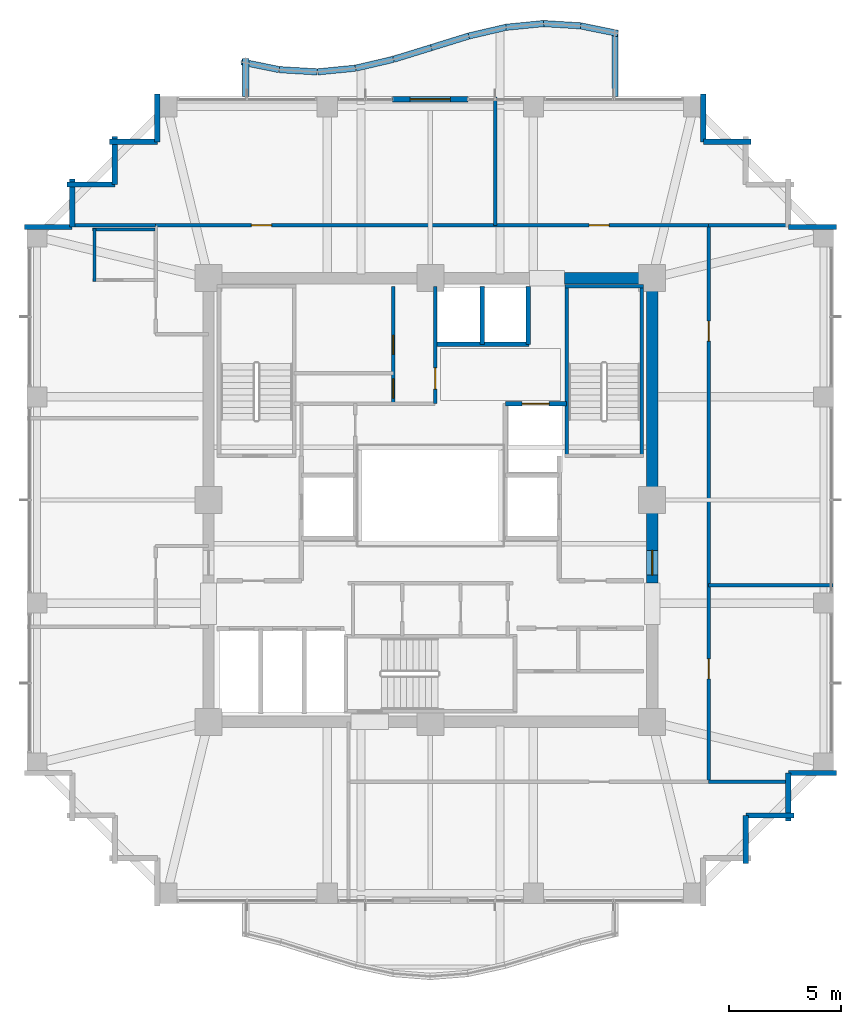
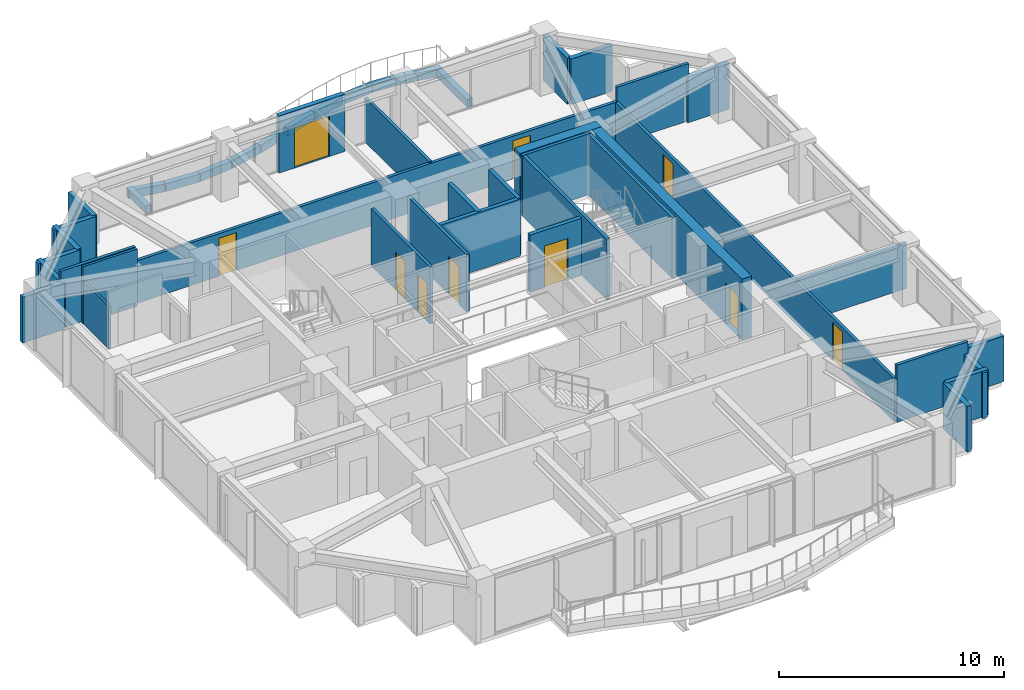
# One storey, part 28 of 31: 46 walls, 10 doors, 10 openings.
"""IFC4 building model written with IfcOpenShell, lengths in metres."""

from ifc_helpers import new_model, si_unit, direction, frame, frame_2d, origin, place, context, subcontext, project, spatial, rectangle, extrude, material, layer, layer_set, type_object, element, fill, save


model = new_model("IFC4")

# Units and contexts
model_context = context("Model", 3, precision=1e-05, world=origin(), true_north=direction((0.0, 1.0)))
body_context = subcontext(model_context, "Body", "Model", "MODEL_VIEW")
ifc_project = project(units=[si_unit("LENGTHUNIT", "METRE"), si_unit("AREAUNIT", "SQUARE_METRE"), si_unit("VOLUMEUNIT", "CUBIC_METRE"), si_unit("PLANEANGLEUNIT", "RADIAN"), si_unit("MASSUNIT", "GRAM", prefix="KILO")], contexts=[model_context])

# Site, building, storey
site_placement = place(None, origin())
site = spatial("IfcSite", under=ifc_project, at=site_placement, CompositionType="ELEMENT")
building_placement = place(site_placement, origin())
building = spatial("IfcBuilding", under=site, at=building_placement, Name="Kolvaren Belvedere", CompositionType="ELEMENT")
storey_placement = place(building_placement, frame((0.0, 0.0, 131.60009765625)))
storey = spatial("IfcBuildingStorey", under=building, at=storey_placement, Name="L38", CompositionType="ELEMENT", Elevation=131.60009765625)

# Wall
ifc_material_1 = material(Name="Concrete C50/60", Category="concrete")
ifc_layer_1 = layer(ifc_material_1, 0.5)
ifc_layer_set_1 = layer_set([ifc_layer_1], Name="Concrete C50/60")
wall_type_1 = type_object("IfcWallType", Name="CW-CORE-500", PredefinedType="SHEAR", material=ifc_layer_set_1)
wall_1_placement = place(storey_placement, frame((5.97998046875, 9.89990234375, 0.0), z_axis=(0.0, 0.0, 1.0), x_axis=(1.0, 0.0, 0.0)))
element("IfcWall", 1, at=wall_1_placement, inside=storey, type_object=wall_type_1, Name="L38 North Core Shear Wall 2", PredefinedType="SHEAR", context=body_context, shape_type="SweptSolid", body=[
    extrude(rectangle(XDim=4.169921875, YDim=0.5, at=frame_2d((2.0849609375, 0.0))), origin(), (0.0, 0.0, 1.0), 3.2998046875),
])

# Wall, opening, door
wall_2_placement = place(storey_placement, frame((9.89990234375, -3.699951171875, 0.0), z_axis=(0.0, 0.0, 1.0), x_axis=(0.0, 1.0, 0.0)))
wall_2 = element("IfcWall", 2, at=wall_2_placement, inside=storey, type_object=wall_type_1, Name="L38 East Core Shear Wall 2", PredefinedType="SHEAR", context=body_context, shape_type="SweptSolid", body=[
    extrude(rectangle(XDim=13.349853515625, YDim=0.5, at=frame_2d((6.6748046875, 0.0))), origin(), (0.0, 0.0, 1.0), 3.2998046875),
])
opening_1_placement = place(wall_2_placement, frame((0.35009765625, 0.0, 0.0)))
opening_1 = element("IfcOpeningElement", 3, at=opening_1_placement, cuts=wall_2, Name="Opening D-FD90", PredefinedType="OPENING", context=body_context, shape_type="SweptSolid", body=[
    extrude(rectangle(XDim=1.10009765625, YDim=2.199951171875, at=frame_2d((0.550048828125, 1.10009765625))), frame((0.0, 0.260009765625, 0.0), z_axis=(0.0, -1.0, 0.0), x_axis=(1.0, 0.0, 0.0)), (0.0, 0.0, 1.0), 0.52001953125),
])
ifc_material_2 = material(Name="Painted hollow stainless steel", Category="steel")
door_type_1 = type_object("IfcDoorType", Name="DR-FD90-1100", OperationType="NOTDEFINED", PredefinedType="DOOR", material=ifc_material_2)
door_1_placement = place(opening_1_placement, origin())
door_1 = element("IfcDoor", 4, at=door_1_placement, inside=storey, type_object=door_type_1, Name="L38 East Firefighting Lobby Fire Door", OperationType="SINGLE_SWING_RIGHT", OverallHeight=2.199951171875, OverallWidth=1.10009765625, PredefinedType="DOOR", context=body_context, shape_type="SweptSolid", body=[
    extrude(rectangle(XDim=1.10009765625, YDim=2.199951171875, at=frame_2d((0.550048828125, 1.10009765625))), frame((0.0, 0.02490234375, 0.0), z_axis=(0.0, -1.0, 0.0), x_axis=(1.0, 0.0, 0.0)), (0.0, 0.0, 1.0), 0.050048828125),
])
fill(opening_1, door_1)

# Walls
ifc_material_3 = material(Name="Concrete C50/60", Category="concrete")
ifc_layer_2 = layer(ifc_material_3, 0.159912109375)
ifc_layer_set_2 = layer_set([ifc_layer_2], Name="Concrete C50/60")
wall_type_2 = type_object("IfcWallType", Name="CW-STAIR-160", PredefinedType="SHEAR", material=ifc_layer_set_2)
wall_3_placement = place(storey_placement, frame((6.0, 9.530029296875, 0.0), z_axis=(0.0, 0.0, 1.0), x_axis=(1.0, 0.0, 0.0)))
element("IfcWall", 5, at=wall_3_placement, inside=storey, type_object=wall_type_2, Name="L38 Stair ST-2 North Shear Wall", PredefinedType="SHEAR", context=body_context, shape_type="SweptSolid", body=[
    extrude(rectangle(XDim=3.52001953125, YDim=0.159912109375, at=frame_2d((1.760009765625, 0.0))), origin(), (0.0, 0.0, 1.0), 3.2998046875),
])
for number, where, z_axis, x_axis, name in (
    (6, (6.080078125, 1.969970703125, 0.0), (0.0, 0.0, 1.0), (0.0, 1.0, 0.0), "L38 Stair ST-2 West Shear Wall"),
    (7, (9.429931640625, 1.969970703125, 0.0), (0.0, 0.0, 1.0), (0.0, 1.0, 0.0), "L38 Stair ST-2 East Shear Wall"),
):
    element("IfcWall", number, at=place(storey_placement, frame(where, z_axis=z_axis, x_axis=x_axis)), inside=storey, type_object=wall_type_2, Name=name, PredefinedType="SHEAR", context=body_context, shape_type="SweptSolid", body=[
        extrude(rectangle(XDim=7.56005859375, YDim=0.159912109375, at=frame_2d((3.780029296875, 0.0))), origin(), (0.0, 0.0, 1.0), 3.2998046875),
    ])

# Wall, openings, doors
ifc_material_4 = material(Name="Gypsum fire-rated partition assembly", Category="gypsum")
ifc_layer_3 = layer(ifc_material_4, 0.14990234375)
ifc_layer_set_3 = layer_set([ifc_layer_3], Name="Gypsum fire-rated partition assembly")
wall_type_3 = type_object("IfcWallType", Name="WL-CORR-150", PredefinedType="PARTITIONING", material=ifc_layer_set_3)
wall_4_placement = place(storey_placement, frame((-12.260009765625, 12.260009765625, 0.0), z_axis=(0.0, 0.0, 1.0), x_axis=(1.0, 0.0, 0.0)))
wall_4 = element("IfcWall", 8, at=wall_4_placement, inside=storey, type_object=wall_type_3, Name="L38 North Corridor Wall", PredefinedType="PARTITIONING", context=body_context, shape_type="SweptSolid", body=[
    extrude(rectangle(XDim=24.679931640625, YDim=0.14990234375, at=frame_2d((12.33984375, 0.0))), origin(), (0.0, 0.0, 1.0), 2.31201171875),
])
opening_2_placement = place(wall_4_placement, frame((4.27490234375, 0.0, 0.0)))
opening_2 = element("IfcOpeningElement", 9, at=opening_2_placement, cuts=wall_4, Name="Opening D-INT90", PredefinedType="OPENING", context=body_context, shape_type="SweptSolid", body=[
    extrude(rectangle(XDim=0.89990234375, YDim=2.06005859375, at=frame_2d((0.449951171875, 1.030029296875))), frame((0.0, 0.0849609375, 0.0), z_axis=(0.0, -1.0, 0.0), x_axis=(1.0, 0.0, 0.0)), (0.0, 0.0, 1.0), 0.169921875),
])
opening_3_placement = place(wall_4_placement, frame((19.344970703125, 0.0, 0.0)))
opening_3 = element("IfcOpeningElement", 10, at=opening_3_placement, cuts=wall_4, Name="Opening D-INT90", PredefinedType="OPENING", context=body_context, shape_type="SweptSolid", body=[
    extrude(rectangle(XDim=0.89990234375, YDim=2.06005859375, at=frame_2d((0.449951171875, 1.030029296875))), frame((0.0, 0.0849609375, 0.0), z_axis=(0.0, -1.0, 0.0), x_axis=(1.0, 0.0, 0.0)), (0.0, 0.0, 1.0), 0.169921875),
])
ifc_material_5 = material(Name="Stained Pacific white oak", Category="timber")
door_type_2 = type_object("IfcDoorType", Name="DR-INT-900", OperationType="NOTDEFINED", PredefinedType="DOOR", material=ifc_material_5)
door_2_placement = place(opening_2_placement, origin())
door_2 = element("IfcDoor", 11, at=door_2_placement, inside=storey, type_object=door_type_2, Name="L38 Lounge 3801 Door", OperationType="SINGLE_SWING_LEFT", OverallHeight=2.06005859375, OverallWidth=0.89990234375, PredefinedType="DOOR", context=body_context, shape_type="SweptSolid", body=[
    extrude(rectangle(XDim=0.89990234375, YDim=2.06005859375, at=frame_2d((0.449951171875, 1.030029296875))), frame((0.0, 0.02490234375, 0.0), z_axis=(0.0, -1.0, 0.0), x_axis=(1.0, 0.0, 0.0)), (0.0, 0.0, 1.0), 0.050048828125),
])
fill(opening_2, door_2)
door_3_placement = place(opening_3_placement, origin())
door_3 = element("IfcDoor", 12, at=door_3_placement, inside=storey, type_object=door_type_2, Name="L38 Guest Tea & Espresso Kitchen 3802 Door", OperationType="SINGLE_SWING_RIGHT", OverallHeight=2.06005859375, OverallWidth=0.89990234375, PredefinedType="DOOR", context=body_context, shape_type="SweptSolid", body=[
    extrude(rectangle(XDim=0.89990234375, YDim=2.06005859375, at=frame_2d((0.449951171875, 1.030029296875))), frame((0.0, 0.02490234375, 0.0), z_axis=(0.0, -1.0, 0.0), x_axis=(1.0, 0.0, 0.0)), (0.0, 0.0, 1.0), 0.050048828125),
])
fill(opening_3, door_3)

wall_5_placement = place(storey_placement, frame((12.419921875, -12.580078125, 0.0), z_axis=(0.0, 0.0, 1.0), x_axis=(0.0, 1.0, 0.0)))
wall_5 = element("IfcWall", 13, at=wall_5_placement, inside=storey, type_object=wall_type_3, Name="L38 East Corridor Wall", PredefinedType="PARTITIONING", context=body_context, shape_type="SweptSolid", body=[
    extrude(rectangle(XDim=24.840087890625, YDim=0.14990234375, at=frame_2d((12.419921875, 0.0))), origin(), (0.0, 0.0, 1.0), 2.31201171875),
])
opening_4_placement = place(wall_5_placement, frame((4.594970703125, 0.0, 0.0)))
opening_4 = element("IfcOpeningElement", 14, at=opening_4_placement, cuts=wall_5, Name="Opening D-INT90", PredefinedType="OPENING", context=body_context, shape_type="SweptSolid", body=[
    extrude(rectangle(XDim=0.89990234375, YDim=2.06005859375, at=frame_2d((0.449951171875, 1.030029296875))), frame((0.0, 0.0849609375, 0.0), z_axis=(0.0, -1.0, 0.0), x_axis=(1.0, 0.0, 0.0)), (0.0, 0.0, 1.0), 0.169921875),
])
opening_5_placement = place(wall_5_placement, frame((19.6650390625, 0.0, 0.0)))
opening_5 = element("IfcOpeningElement", 15, at=opening_5_placement, cuts=wall_5, Name="Opening D-INT90", PredefinedType="OPENING", context=body_context, shape_type="SweptSolid", body=[
    extrude(rectangle(XDim=0.89990234375, YDim=2.06005859375, at=frame_2d((0.449951171875, 1.030029296875))), frame((0.0, 0.0849609375, 0.0), z_axis=(0.0, -1.0, 0.0), x_axis=(1.0, 0.0, 0.0)), (0.0, 0.0, 1.0), 0.169921875),
])
door_4_placement = place(opening_4_placement, origin())
door_4 = element("IfcDoor", 16, at=door_4_placement, inside=storey, type_object=door_type_2, Name="L38 Private Hospitality Meeting Room 3803 Door", OperationType="SINGLE_SWING_LEFT", OverallHeight=2.06005859375, OverallWidth=0.89990234375, PredefinedType="DOOR", context=body_context, shape_type="SweptSolid", body=[
    extrude(rectangle(XDim=0.89990234375, YDim=2.06005859375, at=frame_2d((0.449951171875, 1.030029296875))), frame((0.0, 0.02490234375, 0.0), z_axis=(0.0, -1.0, 0.0), x_axis=(1.0, 0.0, 0.0)), (0.0, 0.0, 1.0), 0.050048828125),
])
fill(opening_4, door_4)
door_5_placement = place(opening_5_placement, origin())
door_5 = element("IfcDoor", 17, at=door_5_placement, inside=storey, type_object=door_type_2, Name="L38 Botanical Reading Salon 3804 Door", OperationType="SINGLE_SWING_RIGHT", OverallHeight=2.06005859375, OverallWidth=0.89990234375, PredefinedType="DOOR", context=body_context, shape_type="SweptSolid", body=[
    extrude(rectangle(XDim=0.89990234375, YDim=2.06005859375, at=frame_2d((0.449951171875, 1.030029296875))), frame((0.0, 0.02490234375, 0.0), z_axis=(0.0, -1.0, 0.0), x_axis=(1.0, 0.0, 0.0)), (0.0, 0.0, 1.0), 0.050048828125),
])
fill(opening_5, door_5)

# Walls
ifc_material_6 = material(Name="Insulated pale-metal facade wall assembly", Category="aluminium")
ifc_layer_4 = layer(ifc_material_6, 0.239990234375)
ifc_layer_set_4 = layer_set([ifc_layer_4], Name="Insulated pale-metal facade wall assembly")
wall_type_4 = type_object("IfcWallType", Name="WL-EXT-240", PredefinedType="STANDARD", material=ifc_layer_set_4)
for number, where, z_axis, x_axis, name in (
    (18, (14.080078125, -14.080078125, 0.0), (0.0, 0.0, 1.0), (0.0, -1.0, 0.0), "L38 Serrated Corner Facade Wall 4"),
    (19, (16.219970703125, -14.080078125, 0.0), (0.0, 0.0, 1.0), (-1.0, 0.0, 0.0), "L38 Serrated Corner Facade Wall 5"),
):
    element("IfcWall", number, at=place(storey_placement, frame(where, z_axis=z_axis, x_axis=x_axis)), inside=storey, type_object=wall_type_4, Name=name, PredefinedType="STANDARD", context=body_context, shape_type="SweptSolid", body=[
        extrude(rectangle(XDim=2.139892578125, YDim=0.239990234375, at=frame_2d((1.06982421875, 0.0))), origin(), (0.0, 0.0, 1.0), 2.47900390625),
    ])
for number, where, z_axis, x_axis, name in (
    (20, (15.97998046875, -12.179931640625, 0.0), (0.0, 0.0, 1.0), (0.0, -1.0, 0.0), "L38 Serrated Corner Facade Wall 6"),
    (21, (18.1201171875, -12.179931640625, 0.0), (0.0, 0.0, 1.0), (-1.0, 0.0, 0.0), "L38 Serrated Corner Facade Wall 7"),
    (22, (15.97998046875, 12.179931640625, 0.0), (0.0, 0.0, 1.0), (1.0, 0.0, 0.0), "L38 Serrated Corner Facade Wall 9"),
    (23, (12.179931640625, 15.97998046875, 0.0), (0.0, 0.0, 1.0), (1.0, 0.0, 0.0), "L38 Serrated Corner Facade Wall 13"),
    (24, (12.179931640625, 18.1201171875, 0.0), (0.0, 0.0, 1.0), (0.0, -1.0, 0.0), "L38 Serrated Corner Facade Wall 14"),
):
    element("IfcWall", number, at=place(storey_placement, frame(where, z_axis=z_axis, x_axis=x_axis)), inside=storey, type_object=wall_type_4, Name=name, PredefinedType="STANDARD", context=body_context, shape_type="SweptSolid", body=[
        extrude(rectangle(XDim=2.14013671875, YDim=0.239990234375, at=frame_2d((1.070068359375, 0.0))), origin(), (0.0, 0.0, 1.0), 2.47900390625),
    ])

# Wall, opening, door
wall_6_placement = place(storey_placement, frame((-1.679931640625, 17.8798828125, 0.0), z_axis=(0.0, 0.0, 1.0), x_axis=(1.0, 0.0, 0.0)))
wall_6 = element("IfcWall", 25, at=wall_6_placement, inside=storey, type_object=wall_type_4, Name="L38 North Terrace Portal Wall", PredefinedType="STANDARD", context=body_context, shape_type="SweptSolid", body=[
    extrude(rectangle(XDim=3.35986328125, YDim=0.239990234375, at=frame_2d((1.679931640625, 0.0))), origin(), (0.0, 0.0, 1.0), 3.099853515625),
])
opening_6_placement = place(wall_6_placement, frame((0.780029296875, 0.0, 0.0)))
opening_6 = element("IfcOpeningElement", 26, at=opening_6_placement, cuts=wall_6, Name="Opening DB-1800", PredefinedType="OPENING", context=body_context, shape_type="SweptSolid", body=[
    extrude(rectangle(XDim=1.800048828125, YDim=2.199951171875, at=frame_2d((0.89990234375, 1.10009765625))), frame((0.0, 0.1298828125, 0.0), z_axis=(0.0, -1.0, 0.0), x_axis=(1.0, 0.0, 0.0)), (0.0, 0.0, 1.0), 0.260009765625),
])
ifc_material_7 = material(Name="Thermally broken pale-metal aluminium & low-iron glass", Category="aluminium")
door_type_3 = type_object("IfcDoorType", Name="DR-BAL-1800", OperationType="DOUBLE_DOOR_SLIDING", PredefinedType="DOOR", material=ifc_material_7)
door_6_placement = place(opening_6_placement, origin())
door_6 = element("IfcDoor", 27, at=door_6_placement, inside=storey, type_object=door_type_3, Name="L38 North Planted Terrace Sliding Door", OperationType="DOUBLE_DOOR_SLIDING", OverallHeight=2.199951171875, OverallWidth=1.800048828125, PredefinedType="DOOR", context=body_context, shape_type="SweptSolid", body=[
    extrude(rectangle(XDim=1.800048828125, YDim=2.199951171875, at=frame_2d((0.89990234375, 1.10009765625))), frame((0.0, 0.02490234375, 0.0), z_axis=(0.0, -1.0, 0.0), x_axis=(1.0, 0.0, 0.0)), (0.0, 0.0, 1.0), 0.050048828125),
])
fill(opening_6, door_6)

# Walls
for number, where, z_axis, x_axis, name in (
    (28, (-12.179931640625, 15.97998046875, 0.0), (0.0, 0.0, 1.0), (0.0, 1.0, 0.0), "L38 Serrated Corner Facade Wall 16"),
    (29, (-14.320068359375, 15.97998046875, 0.0), (0.0, 0.0, 1.0), (1.0, 0.0, 0.0), "L38 Serrated Corner Facade Wall 17"),
):
    element("IfcWall", number, at=place(storey_placement, frame(where, z_axis=z_axis, x_axis=x_axis)), inside=storey, type_object=wall_type_4, Name=name, PredefinedType="STANDARD", context=body_context, shape_type="SweptSolid", body=[
        extrude(rectangle(XDim=2.14013671875, YDim=0.239990234375, at=frame_2d((1.070068359375, 0.0))), origin(), (0.0, 0.0, 1.0), 2.47900390625),
    ])
for number, where, z_axis, x_axis, name in (
    (30, (-14.080078125, 14.080078125, 0.0), (0.0, 0.0, 1.0), (0.0, 1.0, 0.0), "L38 Serrated Corner Facade Wall 18"),
    (31, (-16.219970703125, 14.080078125, 0.0), (0.0, 0.0, 1.0), (1.0, 0.0, 0.0), "L38 Serrated Corner Facade Wall 19"),
):
    element("IfcWall", number, at=place(storey_placement, frame(where, z_axis=z_axis, x_axis=x_axis)), inside=storey, type_object=wall_type_4, Name=name, PredefinedType="STANDARD", context=body_context, shape_type="SweptSolid", body=[
        extrude(rectangle(XDim=2.139892578125, YDim=0.239990234375, at=frame_2d((1.06982421875, 0.0))), origin(), (0.0, 0.0, 1.0), 2.47900390625),
    ])
for number, where, z_axis, x_axis, name in (
    (32, (-15.97998046875, 12.179931640625, 0.0), (0.0, 0.0, 1.0), (0.0, 1.0, 0.0), "L38 Serrated Corner Facade Wall 20"),
    (33, (-18.1201171875, 12.179931640625, 0.0), (0.0, 0.0, 1.0), (1.0, 0.0, 0.0), "L38 Serrated Corner Facade Wall 21"),
):
    element("IfcWall", number, at=place(storey_placement, frame(where, z_axis=z_axis, x_axis=x_axis)), inside=storey, type_object=wall_type_4, Name=name, PredefinedType="STANDARD", context=body_context, shape_type="SweptSolid", body=[
        extrude(rectangle(XDim=2.14013671875, YDim=0.239990234375, at=frame_2d((1.070068359375, 0.0))), origin(), (0.0, 0.0, 1.0), 2.47900390625),
    ])

# Wall, opening, door
ifc_material_8 = material(Name="Gypsum acoustic partition assembly", Category="gypsum")
ifc_layer_5 = layer(ifc_material_8, 0.14990234375)
ifc_layer_set_5 = layer_set([ifc_layer_5], Name="Gypsum acoustic partition assembly")
wall_type_5 = type_object("IfcWallType", Name="WL-PART-150", PredefinedType="PARTITIONING", material=ifc_layer_set_5)
wall_7_placement = place(storey_placement, frame((0.219970703125, 4.300048828125, 0.0), z_axis=(0.0, 0.0, 1.0), x_axis=(0.0, 1.0, 0.0)))
wall_7 = element("IfcWall", 34, at=wall_7_placement, inside=storey, type_object=wall_type_5, Name="L38 Reclaimed Salon East Wall", PredefinedType="PARTITIONING", context=body_context, shape_type="SweptSolid", body=[
    extrude(rectangle(XDim=5.219970703125, YDim=0.14990234375, at=frame_2d((2.60986328125, 0.0))), origin(), (0.0, 0.0, 1.0), 3.099853515625),
])
opening_7_placement = place(wall_7_placement, frame((0.64990234375, 0.0, 0.0)))
opening_7 = element("IfcOpeningElement", 35, at=opening_7_placement, cuts=wall_7, Name="Opening D-INT95", PredefinedType="OPENING", context=body_context, shape_type="SweptSolid", body=[
    extrude(rectangle(XDim=0.949951171875, YDim=2.06005859375, at=frame_2d((0.47509765625, 1.030029296875))), frame((0.0, 0.0849609375, 0.0), z_axis=(0.0, -1.0, 0.0), x_axis=(1.0, 0.0, 0.0)), (0.0, 0.0, 1.0), 0.169921875),
])
ifc_material_9 = material(Name="Stained Pacific white oak", Category="timber")
door_type_4 = type_object("IfcDoorType", Name="DR-INT-950", OperationType="NOTDEFINED", PredefinedType="DOOR", material=ifc_material_9)
door_7_placement = place(opening_7_placement, origin())
door_7 = element("IfcDoor", 36, at=door_7_placement, inside=storey, type_object=door_type_4, Name="L38 Wellness Tearoom Door", OperationType="SINGLE_SWING_LEFT", OverallHeight=2.06005859375, OverallWidth=0.949951171875, PredefinedType="DOOR", context=body_context, shape_type="SweptSolid", body=[
    extrude(rectangle(XDim=0.949951171875, YDim=2.06005859375, at=frame_2d((0.47509765625, 1.030029296875))), frame((0.0, 0.02490234375, 0.0), z_axis=(0.0, -1.0, 0.0), x_axis=(1.0, 0.0, 0.0)), (0.0, 0.0, 1.0), 0.050048828125),
])
fill(opening_7, door_7)

# Wall, openings, doors
wall_8_placement = place(storey_placement, frame((-1.64990234375, 4.300048828125, 0.0), z_axis=(0.0, 0.0, 1.0), x_axis=(0.0, 1.0, 0.0)))
wall_8 = element("IfcWall", 37, at=wall_8_placement, inside=storey, type_object=wall_type_5, Name="L38 Reclaimed Tearoom V-Divider", PredefinedType="PARTITIONING", context=body_context, shape_type="SweptSolid", body=[
    extrude(rectangle(XDim=5.219970703125, YDim=0.14990234375, at=frame_2d((2.60986328125, 0.0))), origin(), (0.0, 0.0, 1.0), 3.099853515625),
])
opening_8_placement = place(wall_8_placement, frame((2.199951171875, 0.0, 0.0)))
opening_8 = element("IfcOpeningElement", 38, at=opening_8_placement, cuts=wall_8, Name="Opening D-INT85", PredefinedType="OPENING", context=body_context, shape_type="SweptSolid", body=[
    extrude(rectangle(XDim=0.85009765625, YDim=2.030029296875, at=frame_2d((0.425048828125, 1.01513671875))), frame((0.0, 0.0849609375, 0.0), z_axis=(0.0, -1.0, 0.0), x_axis=(1.0, 0.0, 0.0)), (0.0, 0.0, 1.0), 0.169921875),
])
opening_9_placement = place(wall_8_placement, frame((0.25, 0.0, 0.0)))
opening_9 = element("IfcOpeningElement", 39, at=opening_9_placement, cuts=wall_8, Name="Opening D-INT85", PredefinedType="OPENING", context=body_context, shape_type="SweptSolid", body=[
    extrude(rectangle(XDim=0.85009765625, YDim=2.030029296875, at=frame_2d((0.425048828125, 1.01513671875))), frame((0.0, 0.0849609375, 0.0), z_axis=(0.0, -1.0, 0.0), x_axis=(1.0, 0.0, 0.0)), (0.0, 0.0, 1.0), 0.169921875),
])
ifc_material_10 = material(Name="Stained Pacific white oak", Category="timber")
door_type_5 = type_object("IfcDoorType", Name="DR-INT-850", OperationType="NOTDEFINED", PredefinedType="DOOR", material=ifc_material_10)
door_8_placement = place(opening_8_placement, origin())
door_8 = element("IfcDoor", 40, at=door_8_placement, inside=storey, type_object=door_type_5, Name="L38 Meditation Room Door", OperationType="SINGLE_SWING_RIGHT", OverallHeight=2.030029296875, OverallWidth=0.85009765625, PredefinedType="DOOR", context=body_context, shape_type="SweptSolid", body=[
    extrude(rectangle(XDim=0.85009765625, YDim=2.030029296875, at=frame_2d((0.425048828125, 1.01513671875))), frame((0.0, 0.02490234375, 0.0), z_axis=(0.0, -1.0, 0.0), x_axis=(1.0, 0.0, 0.0)), (0.0, 0.0, 1.0), 0.050048828125),
])
fill(opening_8, door_8)
door_9_placement = place(opening_9_placement, origin())
door_9 = element("IfcDoor", 41, at=door_9_placement, inside=storey, type_object=door_type_5, Name="L38 Herbal Closet Door", OperationType="SINGLE_SWING_RIGHT", OverallHeight=2.030029296875, OverallWidth=0.85009765625, PredefinedType="DOOR", context=body_context, shape_type="SweptSolid", body=[
    extrude(rectangle(XDim=0.85009765625, YDim=2.030029296875, at=frame_2d((0.425048828125, 1.01513671875))), frame((0.0, 0.02490234375, 0.0), z_axis=(0.0, -1.0, 0.0), x_axis=(1.0, 0.0, 0.0)), (0.0, 0.0, 1.0), 0.050048828125),
])
fill(opening_9, door_9)

# Walls
wall_9_placement = place(storey_placement, frame((12.419921875, -12.580078125, 0.0), z_axis=(0.0, 0.0, 1.0), x_axis=(1.0, 0.0, 0.0)))
element("IfcWall", 42, at=wall_9_placement, inside=storey, type_object=wall_type_5, Name="L38 Wing Divider PW-L38-QSE", PredefinedType="PARTITIONING", context=body_context, shape_type="SweptSolid", body=[
    extrude(rectangle(XDim=3.66015625, YDim=0.14990234375, at=frame_2d((1.830078125, 0.0))), origin(), (0.0, 0.0, 1.0), 3.099853515625),
])
wall_10_placement = place(storey_placement, frame((-16.09619140625, 12.260009765625, 0.0), z_axis=(0.0, 0.0, 1.0), x_axis=(1.0, 0.0, 0.0)))
element("IfcWall", 43, at=wall_10_placement, inside=storey, type_object=wall_type_5, Name="L38 Wing Divider PW-L38-QNW", PredefinedType="PARTITIONING", context=body_context, shape_type="SweptSolid", body=[
    extrude(rectangle(XDim=3.836181640625, YDim=0.14990234375, at=frame_2d((1.91796875, 0.0))), origin(), (0.0, 0.0, 1.0), 3.099853515625),
])
wall_11_placement = place(storey_placement, frame((12.419921875, 12.260009765625, 0.0), z_axis=(0.0, 0.0, 1.0), x_axis=(1.0, 0.0, 0.0)))
element("IfcWall", 44, at=wall_11_placement, inside=storey, type_object=wall_type_5, Name="L38 Wing Divider PW-L38-QNE", PredefinedType="PARTITIONING", context=body_context, shape_type="SweptSolid", body=[
    extrude(rectangle(XDim=3.67626953125, YDim=0.14990234375, at=frame_2d((1.838134765625, 0.0))), origin(), (0.0, 0.0, 1.0), 3.099853515625),
])
wall_12_placement = place(storey_placement, frame((2.89990234375, 12.260009765625, 0.0), z_axis=(0.0, 0.0, 1.0), x_axis=(0.0, 1.0, 0.0)))
element("IfcWall", 45, at=wall_12_placement, inside=storey, type_object=wall_type_5, Name="L38 North Suite Demising Wall 1", PredefinedType="PARTITIONING", context=body_context, shape_type="SweptSolid", body=[
    extrude(rectangle(XDim=5.719970703125, YDim=0.14990234375, at=frame_2d((2.85986328125, 0.0))), origin(), (0.0, 0.0, 1.0), 2.388916015625),
])
wall_13_placement = place(storey_placement, frame((12.419921875, -3.800048828125, 0.0), z_axis=(0.0, 0.0, 1.0), x_axis=(1.0, 0.0, 0.0)))
element("IfcWall", 46, at=wall_13_placement, inside=storey, type_object=wall_type_5, Name="L38 East Suite Demising Wall 1", PredefinedType="PARTITIONING", context=body_context, shape_type="SweptSolid", body=[
    extrude(rectangle(XDim=5.56005859375, YDim=0.14990234375, at=frame_2d((2.780029296875, 0.0))), origin(), (0.0, 0.0, 1.0), 2.468994140625),
])
ifc_material_11 = material(Name="Precast concrete C40/50", Category="concrete")
ifc_layer_6 = layer(ifc_material_11, 0.300048828125)
ifc_layer_set_6 = layer_set([ifc_layer_6], Name="Precast concrete C40/50")
wall_type_6 = type_object("IfcWallType", Name="WL-PLANTER-300", PredefinedType="PARAPET", material=ifc_layer_set_6)
wall_14_placement = place(storey_placement, frame((8.239990234375, 18.0, -0.02001953125), z_axis=(0.0, 0.0, 1.0), x_axis=(0.0, 1.0, 0.0)))
element("IfcWall", 47, at=wall_14_placement, inside=storey, type_object=wall_type_6, Name="L38 Precast Structural Planter Wall BAL-N-11", PredefinedType="PARAPET", context=body_context, shape_type="SweptSolid", body=[
    extrude(rectangle(XDim=2.974853515625, YDim=0.280029296875, at=frame_2d((1.4873046875, 0.0))), origin(), (0.0, 0.0, 1.0), 0.419921875),
])
wall_15_placement = place(storey_placement, frame((8.367919921875, 20.818115234375, -0.02001953125), z_axis=(0.0, 0.0, 1.0), x_axis=(-0.979867779516, 0.199647526069, 0.0)))
element("IfcWall", 48, at=wall_15_placement, inside=storey, type_object=wall_type_6, Name="L38 Precast Structural Planter Wall BAL-N-12", PredefinedType="PARAPET", context=body_context, shape_type="SweptSolid", body=[
    extrude(rectangle(XDim=1.71435546875, YDim=0.280029296875, at=frame_2d((0.857177734375, 0.0))), origin(), (0.0, 0.0, 1.0), 0.419921875),
])
wall_16_placement = place(storey_placement, frame((6.710205078125, 21.157470703125, -0.02001953125), z_axis=(0.0, 0.0, 1.0), x_axis=(-0.998133560666, 0.061068773295, 0.0)))
element("IfcWall", 49, at=wall_16_placement, inside=storey, type_object=wall_type_6, Name="L38 Precast Structural Planter Wall BAL-N-13", PredefinedType="PARAPET", context=body_context, shape_type="SweptSolid", body=[
    extrude(rectangle(XDim=1.68310546875, YDim=0.280029296875, at=frame_2d((0.841552734375, 0.0))), origin(), (0.0, 0.0, 1.0), 0.419921875),
])
wall_17_placement = place(storey_placement, frame((5.055908203125, 21.2607421875, -0.02001953125), z_axis=(0.0, 0.0, 1.0), x_axis=(-0.995038621856, -0.099489401517, 0.0)))
element("IfcWall", 50, at=wall_17_placement, inside=storey, type_object=wall_type_6, Name="L38 Precast Structural Planter Wall BAL-N-14", PredefinedType="PARAPET", context=body_context, shape_type="SweptSolid", body=[
    extrude(rectangle(XDim=1.688232421875, YDim=0.280029296875, at=frame_2d((0.84423828125, 0.0))), origin(), (0.0, 0.0, 1.0), 0.419921875),
])
wall_18_placement = place(storey_placement, frame((3.396240234375, 21.09619140625, -0.02001953125), z_axis=(0.0, 0.0, 1.0), x_axis=(-0.973890253884, -0.227019323824, 0.0)))
element("IfcWall", 51, at=wall_18_placement, inside=storey, type_object=wall_type_6, Name="L38 Precast Structural Planter Wall BAL-N-15", PredefinedType="PARAPET", context=body_context, shape_type="SweptSolid", body=[
    extrude(rectangle(XDim=1.724853515625, YDim=0.280029296875, at=frame_2d((0.8623046875, 0.0))), origin(), (0.0, 0.0, 1.0), 0.419921875),
])
wall_19_placement = place(storey_placement, frame((1.727294921875, 20.70751953125, -0.02001953125), z_axis=(0.0, 0.0, 1.0), x_axis=(-0.95524013163, -0.295831524561, 0.0)))
element("IfcWall", 52, at=wall_19_placement, inside=storey, type_object=wall_type_6, Name="L38 Precast Structural Planter Wall BAL-N-16", PredefinedType="PARAPET", context=body_context, shape_type="SweptSolid", body=[
    extrude(rectangle(XDim=1.758544921875, YDim=0.280029296875, at=frame_2d((0.87939453125, 0.0))), origin(), (0.0, 0.0, 1.0), 0.419921875),
])
wall_20_placement = place(storey_placement, frame((0.04736328125, 20.187255859375, -0.02001953125), z_axis=(0.0, 0.0, 1.0), x_axis=(-0.955252278476, -0.29579229954, 0.0)))
element("IfcWall", 53, at=wall_20_placement, inside=storey, type_object=wall_type_6, Name="L38 Precast Structural Planter Wall BAL-N-17", PredefinedType="PARAPET", context=body_context, shape_type="SweptSolid", body=[
    extrude(rectangle(XDim=1.7587890625, YDim=0.280029296875, at=frame_2d((0.87939453125, 0.0))), origin(), (0.0, 0.0, 1.0), 0.419921875),
])
wall_21_placement = place(storey_placement, frame((-1.643798828125, 19.663818359375, -0.02001953125), z_axis=(0.0, 0.0, 1.0), x_axis=(-0.973890253884, -0.227019323824, 0.0)))
element("IfcWall", 54, at=wall_21_placement, inside=storey, type_object=wall_type_6, Name="L38 Precast Structural Planter Wall BAL-N-18", PredefinedType="PARAPET", context=body_context, shape_type="SweptSolid", body=[
    extrude(rectangle(XDim=1.724853515625, YDim=0.280029296875, at=frame_2d((0.8623046875, 0.0))), origin(), (0.0, 0.0, 1.0), 0.419921875),
])
wall_22_placement = place(storey_placement, frame((-3.34423828125, 19.268798828125, -0.02001953125), z_axis=(0.0, 0.0, 1.0), x_axis=(-0.995153897624, -0.098329649867, 0.0)))
element("IfcWall", 55, at=wall_22_placement, inside=storey, type_object=wall_type_6, Name="L38 Precast Structural Planter Wall BAL-N-19", PredefinedType="PARAPET", context=body_context, shape_type="SweptSolid", body=[
    extrude(rectangle(XDim=1.6884765625, YDim=0.280029296875, at=frame_2d((0.84423828125, 0.0))), origin(), (0.0, 0.0, 1.0), 0.419921875),
])
wall_23_placement = place(storey_placement, frame((-5.049560546875, 19.102294921875, -0.02001953125), z_axis=(0.0, 0.0, 1.0), x_axis=(-0.998203631072, 0.059912527196, 0.0)))
element("IfcWall", 56, at=wall_23_placement, inside=storey, type_object=wall_type_6, Name="L38 Precast Structural Planter Wall BAL-N-20", PredefinedType="PARAPET", context=body_context, shape_type="SweptSolid", body=[
    extrude(rectangle(XDim=1.682861328125, YDim=0.280029296875, at=frame_2d((0.84130859375, 0.0))), origin(), (0.0, 0.0, 1.0), 0.419921875),
])
wall_24_placement = place(storey_placement, frame((-6.751953125, 19.2060546875, -0.02001953125), z_axis=(0.0, 0.0, 1.0), x_axis=(-0.979867779516, 0.199647526069, 0.0)))
element("IfcWall", 57, at=wall_24_placement, inside=storey, type_object=wall_type_6, Name="L38 Precast Structural Planter Wall BAL-N-21", PredefinedType="PARAPET", context=body_context, shape_type="SweptSolid", body=[
    extrude(rectangle(XDim=1.71435546875, YDim=0.280029296875, at=frame_2d((0.857177734375, 0.0))), origin(), (0.0, 0.0, 1.0), 0.419921875),
])
wall_25_placement = place(storey_placement, frame((-8.239990234375, 19.705078125, -0.02001953125), z_axis=(0.0, 0.0, 1.0), x_axis=(0.0, -1.0, 0.0)))
element("IfcWall", 58, at=wall_25_placement, inside=storey, type_object=wall_type_6, Name="L38 Precast Structural Planter Wall BAL-N-22", PredefinedType="PARAPET", context=body_context, shape_type="SweptSolid", body=[
    extrude(rectangle(XDim=1.705078125, YDim=0.280029296875, at=frame_2d((0.8525390625, 0.0))), origin(), (0.0, 0.0, 1.0), 0.419921875),
])

# Wall, opening, door
ifc_material_12 = material(Name="Concrete C50/60", Category="concrete")
ifc_layer_7 = layer(ifc_material_12, 0.199951171875)
ifc_layer_set_7 = layer_set([ifc_layer_7], Name="Concrete C50/60")
wall_type_7 = type_object("IfcWallType", Name="WL-SHAFT-200", PredefinedType="SOLIDWALL", material=ifc_layer_set_7)
wall_26_placement = place(storey_placement, frame((3.35009765625, 4.300048828125, 0.0), z_axis=(0.0, 0.0, 1.0), x_axis=(1.0, 0.0, 0.0)))
wall_26 = element("IfcWall", 59, at=wall_26_placement, inside=storey, type_object=wall_type_7, Name="L38 Service Lift SV1 Front Wall", PredefinedType="SOLIDWALL", context=body_context, shape_type="SweptSolid", body=[
    extrude(rectangle(XDim=2.72998046875, YDim=0.199951171875, at=frame_2d((1.364990234375, 0.0))), origin(), (0.0, 0.0, 1.0), 3.099853515625),
])
opening_10_placement = place(wall_26_placement, frame((0.75, 0.0, 0.0)))
opening_10 = element("IfcOpeningElement", 60, at=opening_10_placement, cuts=wall_26, Name="Opening LD-12", PredefinedType="OPENING", context=body_context, shape_type="SweptSolid", body=[
    extrude(rectangle(XDim=1.199951171875, YDim=2.25, at=frame_2d((0.60009765625, 1.125))), frame((0.0, 0.10986328125, 0.0), z_axis=(0.0, -1.0, 0.0), x_axis=(1.0, 0.0, 0.0)), (0.0, 0.0, 1.0), 0.219970703125),
])
ifc_material_13 = material(Name="Brushed stainless steel", Category="steel")
door_type_6 = type_object("IfcDoorType", Name="DR-LIFT-1200", OperationType="DOUBLE_DOOR_SLIDING", PredefinedType="DOOR", material=ifc_material_13)
door_10_placement = place(opening_10_placement, origin())
door_10 = element("IfcDoor", 61, at=door_10_placement, inside=storey, type_object=door_type_6, Name="L38 Service Lift SV1 Landing Door", OperationType="DOUBLE_DOOR_SLIDING", OverallHeight=2.25, OverallWidth=1.199951171875, PredefinedType="DOOR", context=body_context, shape_type="SweptSolid", body=[
    extrude(rectangle(XDim=1.199951171875, YDim=2.25, at=frame_2d((0.60009765625, 1.125))), frame((0.0, 0.02490234375, 0.0), z_axis=(0.0, -1.0, 0.0), x_axis=(1.0, 0.0, 0.0)), (0.0, 0.0, 1.0), 0.050048828125),
])
fill(opening_10, door_10)

# Walls
wall_27_placement = place(storey_placement, frame((0.219970703125, 6.949951171875, 0.0), z_axis=(0.0, 0.0, 1.0), x_axis=(1.0, 0.0, 0.0)))
element("IfcWall", 62, at=wall_27_placement, inside=storey, type_object=wall_type_7, Name="L38 Express Shuttle Hoistway Wall", PredefinedType="SOLIDWALL", context=body_context, shape_type="SweptSolid", body=[
    extrude(rectangle(XDim=4.179931640625, YDim=0.199951171875, at=frame_2d((2.08984375, 0.0))), origin(), (0.0, 0.0, 1.0), 3.099853515625),
])
for number, where, z_axis, x_axis, name in (
    (63, (4.3798828125, 6.949951171875, 0.0), (0.0, 0.0, 1.0), (0.0, 1.0, 0.0), "L38 Express Shuttle East Wall"),
    (64, (2.31005859375, 6.949951171875, 0.0), (0.0, 0.0, 1.0), (0.0, 1.0, 0.0), "L38 Express Shuttle Divider"),
):
    element("IfcWall", number, at=place(storey_placement, frame(where, z_axis=z_axis, x_axis=x_axis)), inside=storey, type_object=wall_type_7, Name=name, PredefinedType="SOLIDWALL", context=body_context, shape_type="SweptSolid", body=[
        extrude(rectangle(XDim=2.570068359375, YDim=0.199951171875, at=frame_2d((1.28515625, 0.0))), origin(), (0.0, 0.0, 1.0), 3.099853515625),
    ])
ifc_material_14 = material(Name="Moisture-resistant gypsum partition", Category="gypsum")
ifc_layer_8 = layer(ifc_material_14, 0.125)
ifc_layer_set_8 = layer_set([ifc_layer_8], Name="Moisture-resistant gypsum partition")
wall_type_8 = type_object("IfcWallType", Name="WL-WET-125", PredefinedType="PARTITIONING", material=ifc_layer_set_8)
wall_28_placement = place(storey_placement, frame((-14.985107421875, 9.7548828125, 0.0), z_axis=(0.0, 0.0, 1.0), x_axis=(0.0, 1.0, 0.0)))
element("IfcWall", 65, at=wall_28_placement, inside=storey, type_object=wall_type_8, Name="L38 Bathroom Partition PW-L38-BTH-5-V", PredefinedType="PARTITIONING", context=body_context, shape_type="SweptSolid", body=[
    extrude(rectangle(XDim=2.3701171875, YDim=0.125, at=frame_2d((1.18505859375, 0.0))), origin(), (0.0, 0.0, 1.0), 2.31201171875),
])
wall_29_placement = place(storey_placement, frame((-15.06494140625, 12.06494140625, 0.0), z_axis=(0.0, 0.0, 1.0), x_axis=(1.0, 0.0, 0.0)))
element("IfcWall", 66, at=wall_29_placement, inside=storey, type_object=wall_type_8, Name="L38 Bathroom Partition PW-L38-BTH-5-S", PredefinedType="PARTITIONING", context=body_context, shape_type="SweptSolid", body=[
    extrude(rectangle(XDim=2.7900390625, YDim=0.125, at=frame_2d((1.39501953125, 0.0))), origin(), (0.0, 0.0, 1.0), 3.099853515625),
])

save(model, "model.ifc")
